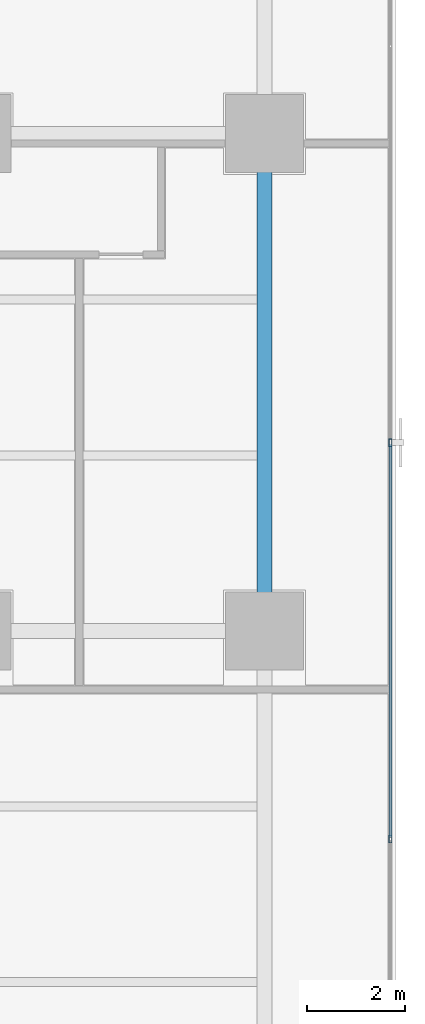
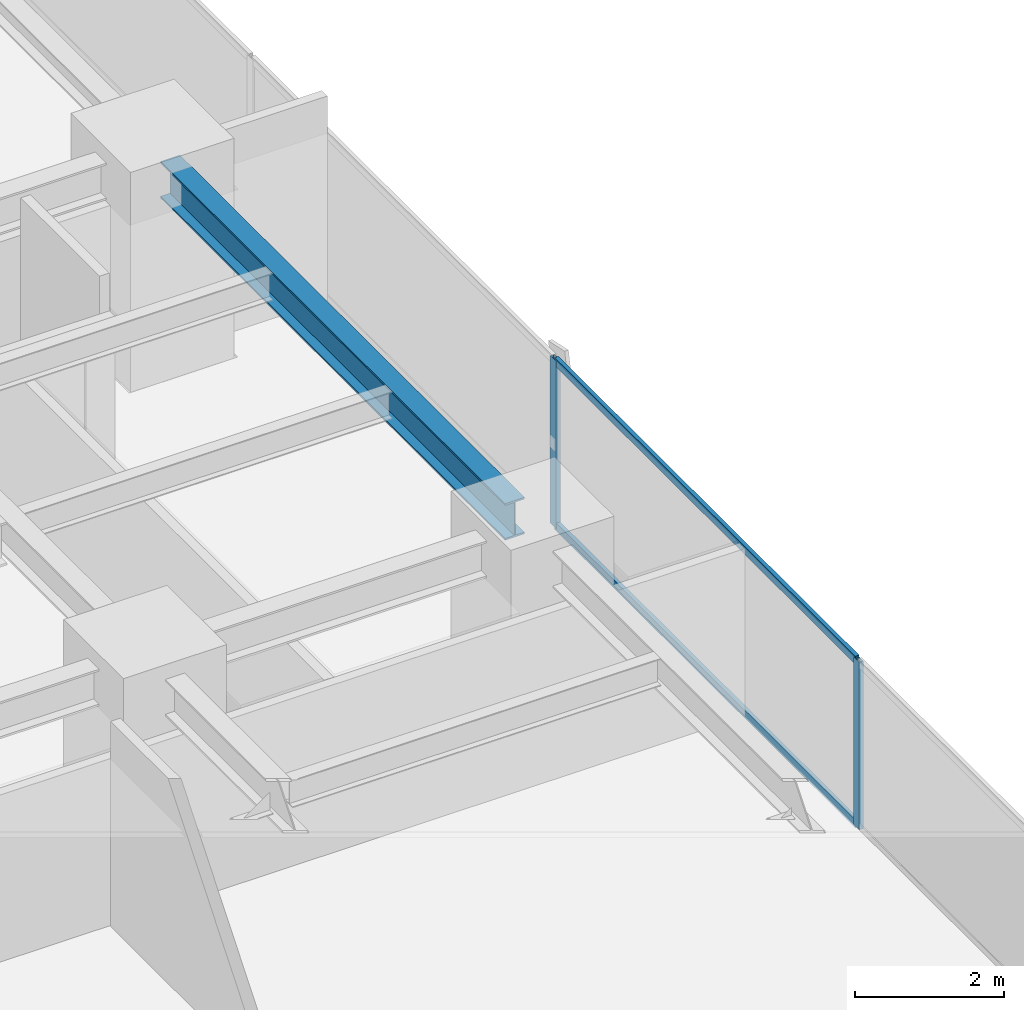
# One storey, part 16 of 36: 4 members, 1 beam, 1 element without a shape of its own.
"""IFC4 building model written with IfcOpenShell, lengths in metres."""

from ifc_helpers import new_model, si_unit, direction, frame, origin, origin_2d, place, context, subcontext, project, spatial, hollow_rectangle, i_section, extrude, source, transform, mapped, material, layer, layer_set, material_profile, profile_set, type_object, element, aggregate, save


model = new_model("IFC4")

# Units and contexts
model_context = context("Model", 3, precision=1e-05, world=origin(), true_north=direction((0.0, 1.0)))
body_context = subcontext(model_context, "Body", "Model", "MODEL_VIEW")
ifc_project = project(units=[si_unit("LENGTHUNIT", "METRE"), si_unit("AREAUNIT", "SQUARE_METRE"), si_unit("VOLUMEUNIT", "CUBIC_METRE"), si_unit("PLANEANGLEUNIT", "RADIAN"), si_unit("MASSUNIT", "GRAM", prefix="KILO")], contexts=[model_context])

# Site, building, storey
site_placement = place(None, origin())
site = spatial("IfcSite", under=ifc_project, at=site_placement, CompositionType="ELEMENT")
building_placement = place(site_placement, origin())
building = spatial("IfcBuilding", under=site, at=building_placement, Name="Sumidabori Civic Tower", CompositionType="ELEMENT")
storey_placement = place(building_placement, frame((0.0, 0.0, 92.0)))
storey = spatial("IfcBuildingStorey", under=building, at=storey_placement, Name="L23", CompositionType="ELEMENT", Elevation=92.0)

# Beam
ifc_material_1 = material(Name="Steel SN490", Category="steel")
ifc_material_profile_1 = material_profile(ifc_material_1, i_section(OverallWidth=0.300048828125, OverallDepth=0.60009765625, WebThickness=0.015380859375, FlangeThickness=0.030029296875, at=origin_2d()), Name="HE 600 B")
ifc_profile_set_1 = profile_set([ifc_material_profile_1], Name="Steel SN490")
beam_type = type_object("IfcBeamType", Name="BM-GIRD-600", PredefinedType="BEAM", material=ifc_profile_set_1)
shared_shape_1 = source(origin(), body_context, "Body", "SweptSolid", [
    extrude(i_section(OverallWidth=0.300048828125, OverallDepth=0.60009765625, WebThickness=0.015380859375, FlangeThickness=0.030029296875, at=origin_2d()), origin(), (0.0, 0.0, 1.0), 9.239990234375),
])
beam_placement = place(storey_placement, frame((22.800048828125, 0.47998046875, 3.06005859375), z_axis=(0.0, 1.0, 0.0), x_axis=(-1.0, 0.0, 0.0)))
element("IfcBeam", 1, at=beam_placement, inside=storey, type_object=beam_type, Name="Primary Girder L23 GY-41", PredefinedType="BEAM", context=body_context, shape_type="MappedRepresentation", body=[
    mapped(shared_shape_1, transform((0.0, 0.0, 0.0), x_axis=(1.0, 0.0, 0.0), y_axis=(0.0, 1.0, 0.0), z_axis=(0.0, 0.0, 1.0), scale=1.0)),
])

# Curtain wall, members
ifc_material_2 = material(Name="Anodised Bronze Aluminium AW-6063-T6", Category="aluminium")
ifc_layer = layer(ifc_material_2, 0.179931640625, Name="Anodised Bronze Aluminium AW-6063-T6")
ifc_layer_set = layer_set([ifc_layer], Name="Anodised Bronze Aluminium AW-6063-T6")
curtain_wall_type = type_object("IfcCurtainWallType", Name="CW-SYS-3", PredefinedType="NOTDEFINED", material=ifc_layer_set)
curtain_wall_placement = place(storey_placement, origin())
curtain_wall = element("IfcCurtainWall", 2, at=curtain_wall_placement, inside=storey, type_object=curtain_wall_type, Name="Curtain Wall CW:L23:R04", PredefinedType="NOTDEFINED")
ifc_material_profile_2 = material_profile(ifc_material_2, hollow_rectangle(XDim=0.06494140625, YDim=0.159912109375, WallThickness=0.0048828125, at=origin_2d()), Name="ALU MULLION 160x65")
ifc_profile_set_2 = profile_set([ifc_material_profile_2], Name="Anodised Bronze Aluminium AW-6063-T6")
member_type_1 = type_object("IfcMemberType", Name="CW-MUL-160", PredefinedType="MULLION", material=ifc_profile_set_2)
shared_shape_2 = source(origin(), body_context, "Body", "SweptSolid", [
    extrude(hollow_rectangle(XDim=0.06494140625, YDim=0.159912109375, WallThickness=0.0048828125, at=origin_2d()), origin(), (0.0, 0.0, 1.0), 2.739990234375),
])
member_1_placement = place(storey_placement, frame((25.3798828125, -4.263916015625, 0.0), z_axis=(0.0, 0.0, 1.0), x_axis=(-1.0, 0.0, 0.0)))
member_1 = element("IfcMember", 3, at=member_1_placement, type_object=member_type_1, Name="CW-3 mullion 3", PredefinedType="MULLION", context=body_context, shape_type="MappedRepresentation", body=[
    mapped(shared_shape_2, transform((0.0, 0.0, 0.0), x_axis=(1.0, 0.0, 0.0), y_axis=(0.0, 1.0, 0.0), z_axis=(0.0, 0.0, 1.0), scale=1.0)),
])
member_2_placement = place(storey_placement, frame((25.3798828125, 3.864013671875, 0.0), z_axis=(0.0, 0.0, 1.0), x_axis=(-1.0, 0.0, 0.0)))
member_2 = element("IfcMember", 4, at=member_2_placement, type_object=member_type_1, Name="CW-3 mullion 4", PredefinedType="MULLION", context=body_context, shape_type="MappedRepresentation", body=[
    mapped(shared_shape_2, transform((0.0, 0.0, 0.0), x_axis=(1.0, 0.0, 0.0), y_axis=(0.0, 1.0, 0.0), z_axis=(0.0, 0.0, 1.0), scale=1.0)),
])
ifc_material_profile_3 = material_profile(ifc_material_2, hollow_rectangle(XDim=0.06005859375, YDim=0.1298828125, WallThickness=0.0048828125, at=origin_2d()), Name="ALU TRANSOM 130x60")
ifc_profile_set_3 = profile_set([ifc_material_profile_3], Name="Anodised Bronze Aluminium AW-6063-T6")
member_type_2 = type_object("IfcMemberType", Name="CW-TRN-130", PredefinedType="USERDEFINED", material=ifc_profile_set_3)
shared_shape_3 = source(origin(), body_context, "Body", "SweptSolid", [
    extrude(hollow_rectangle(XDim=0.06005859375, YDim=0.1298828125, WallThickness=0.0048828125, at=origin_2d()), origin(), (0.0, 0.0, 1.0), 8.06298828125),
])
member_3_placement = place(storey_placement, frame((25.3798828125, -4.2314453125, 0.030029296875), z_axis=(0.0, 1.0, 0.0), x_axis=(-1.0, 0.0, 0.0)))
member_3 = element("IfcMember", 5, at=member_3_placement, type_object=member_type_2, Name="CW-3 transom 3.1", ObjectType="TRANSOM", PredefinedType="USERDEFINED", context=body_context, shape_type="MappedRepresentation", body=[
    mapped(shared_shape_3, transform((0.0, 0.0, 0.0), x_axis=(1.0, 0.0, 0.0), y_axis=(0.0, 1.0, 0.0), z_axis=(0.0, 0.0, 1.0), scale=1.0)),
])
member_4_placement = place(storey_placement, frame((25.3798828125, -4.2314453125, 2.7099609375), z_axis=(0.0, 1.0, 0.0), x_axis=(-1.0, 0.0, 0.0)))
member_4 = element("IfcMember", 6, at=member_4_placement, type_object=member_type_2, Name="CW-3 transom 3.2", ObjectType="TRANSOM", PredefinedType="USERDEFINED", context=body_context, shape_type="MappedRepresentation", body=[
    mapped(shared_shape_3, transform((0.0, 0.0, 0.0), x_axis=(1.0, 0.0, 0.0), y_axis=(0.0, 1.0, 0.0), z_axis=(0.0, 0.0, 1.0), scale=1.0)),
])
aggregate(curtain_wall, [member_1, member_2, member_3, member_4])

save(model, "model.ifc")
